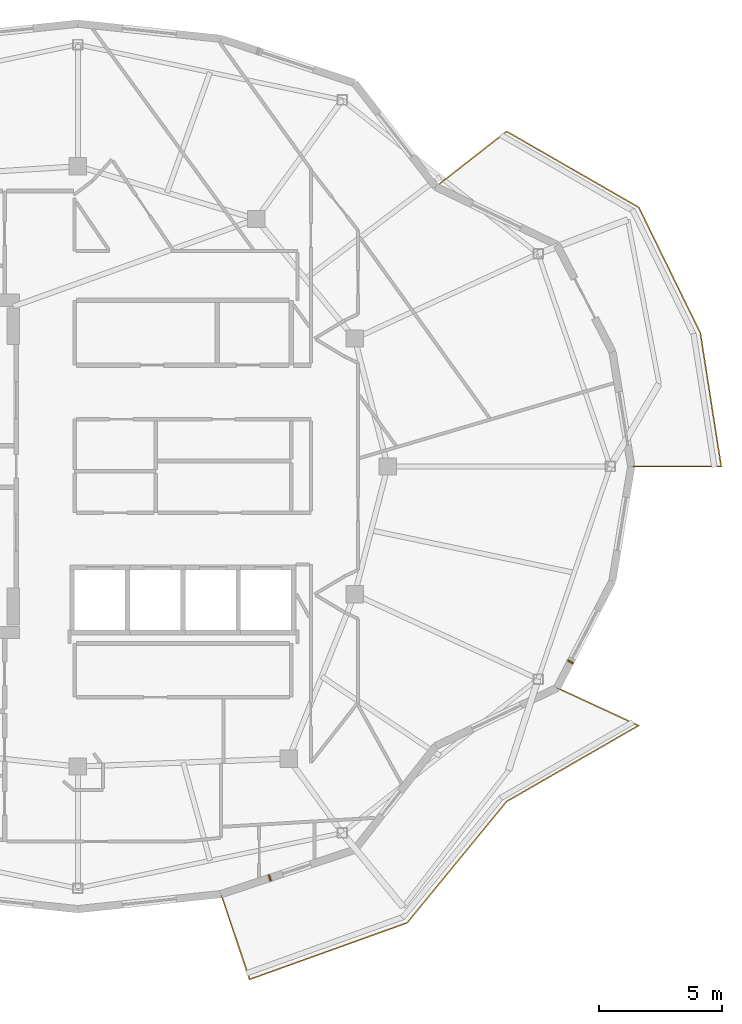
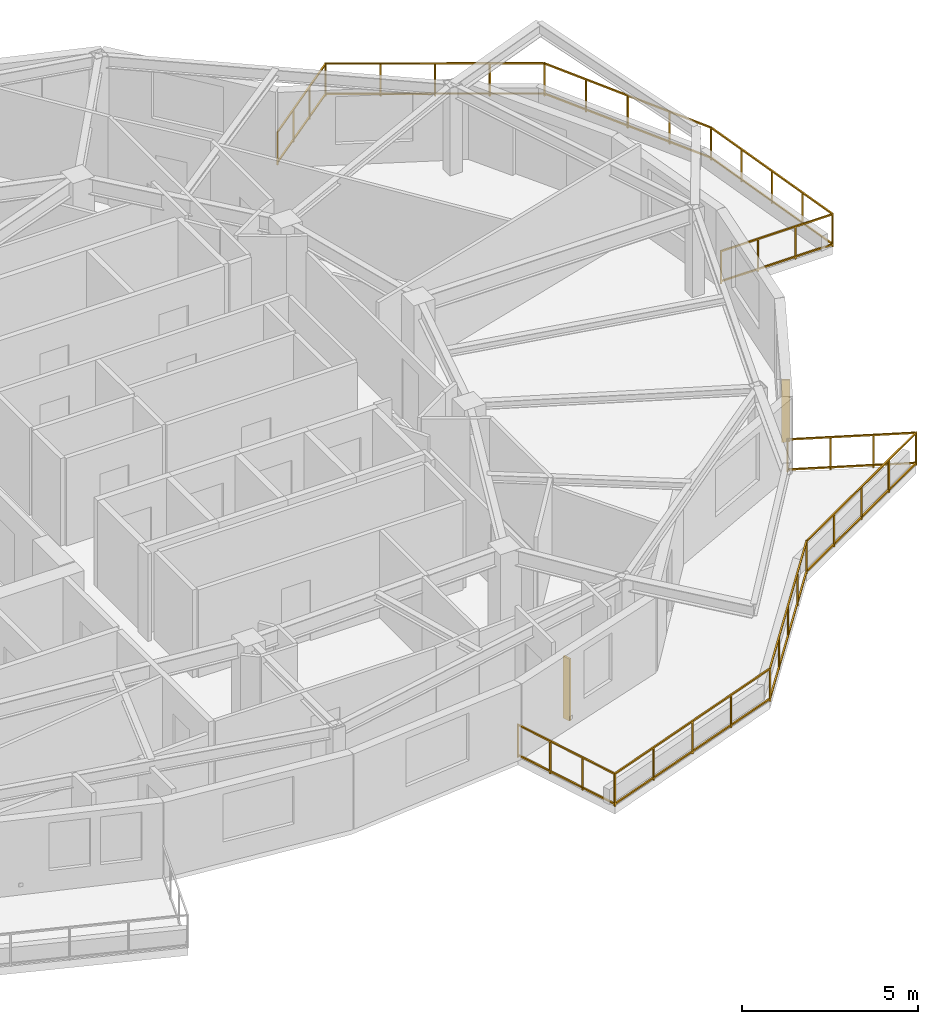
# One storey, part 10 of 11: 2 railings, 2 shading devices.
"""IFC4 building model written with IfcOpenShell, lengths in metres."""

from ifc_helpers import new_model, si_unit, direction, frame, origin, origin_2d, place, context, subcontext, project, spatial, rectangle, extrude, material, type_object, element, save


model = new_model("IFC4")

# Units and contexts
model_context = context("Model", 3, precision=1e-05, world=origin(), true_north=direction((0.0, 1.0)))
body_context = subcontext(model_context, "Body", "Model", "MODEL_VIEW")
ifc_project = project(units=[si_unit("LENGTHUNIT", "METRE"), si_unit("AREAUNIT", "SQUARE_METRE"), si_unit("VOLUMEUNIT", "CUBIC_METRE"), si_unit("PLANEANGLEUNIT", "RADIAN"), si_unit("MASSUNIT", "GRAM", prefix="KILO")], contexts=[model_context])

# Site, building, storey
site_placement = place(None, origin())
site = spatial("IfcSite", under=ifc_project, at=site_placement, CompositionType="ELEMENT")
building_placement = place(site_placement, origin())
building = spatial("IfcBuilding", under=site, at=building_placement, Name="Kolvaren Gate Tower and Convention Centre", CompositionType="ELEMENT")
storey_placement = place(building_placement, frame((0.0, 0.0, 242.60009765625)))
storey = spatial("IfcBuildingStorey", under=building, at=storey_placement, Name="L65", CompositionType="ELEMENT", Elevation=242.60009765625)

# Railings
ifc_material_1 = material(Name="Brushed Stainless Steel Grade 316L", Category="steel")
railing_type = type_object("IfcRailingType", Name="ARCH-RL-GUARD-1150", PredefinedType="GUARDRAIL", material=ifc_material_1)
railing_1_placement = place(storey_placement, frame((52.625, 27.0, 0.0)))
element("IfcRailing", 1, at=railing_1_placement, inside=storey, type_object=railing_type, Name="Tower L65 Terrace Perimeter Guardrail GR-1", PredefinedType="GUARDRAIL", context=body_context, shape_type="SweptSolid", body=[
    extrude(rectangle(XDim=0.048095703125, YDim=0.048095703125, at=origin_2d()), frame((0.028076171875, 0.0, 1.1259765625), z_axis=(1.0, 0.0, 0.0), x_axis=(0.0, 1.0, 0.0)), (0.0, 0.0, 1.0), 3.603759765625),
    extrude(rectangle(XDim=0.048095703125, YDim=0.048095703125, at=origin_2d()), frame((0.028076171875, 0.0, 0.083984375), z_axis=(1.0, 0.0, 0.0), x_axis=(0.0, 1.0, 0.0)), (0.0, 0.0, 1.0), 3.603759765625),
    extrude(rectangle(XDim=0.048095703125, YDim=0.048095703125, at=origin_2d()), frame((3.655517578125, 0.02783203125, 1.1259765625), z_axis=(-0.1543985789, 0.988008643097, 0.0), x_axis=(-0.988008643097, -0.1543985789, 0.0)), (0.0, 0.0, 1.0), 5.435546875),
    extrude(rectangle(XDim=0.048095703125, YDim=0.048095703125, at=origin_2d()), frame((3.655517578125, 0.02783203125, 0.083984375), z_axis=(-0.1543985789, 0.988008643097, 0.0), x_axis=(-0.988008643097, -0.1543985789, 0.0)), (0.0, 0.0, 1.0), 5.435546875),
    extrude(rectangle(XDim=0.048095703125, YDim=0.048095703125, at=origin_2d()), frame((2.799560546875, 5.450927734375, 1.1259765625), z_axis=(-0.440058847499, 0.897968936399, 0.0), x_axis=(-0.897968936399, -0.440058847499, 0.0)), (0.0, 0.0, 1.0), 5.63330078125),
    extrude(rectangle(XDim=0.048095703125, YDim=0.048095703125, at=origin_2d()), frame((2.799560546875, 5.450927734375, 0.083984375), z_axis=(-0.440058847499, 0.897968936399, 0.0), x_axis=(-0.897968936399, -0.440058847499, 0.0)), (0.0, 0.0, 1.0), 5.63330078125),
    extrude(rectangle(XDim=0.048095703125, YDim=0.048095703125, at=origin_2d()), frame((0.283935546875, 10.548583984375, 1.1259765625), z_axis=(-0.866894385595, 0.498491849706, 0.0), x_axis=(-0.498491849706, -0.866894385595, 0.0)), (0.0, 0.0, 1.0), 6.140869140625),
    extrude(rectangle(XDim=0.048095703125, YDim=0.048095703125, at=origin_2d()), frame((0.283935546875, 10.548583984375, 0.083984375), z_axis=(-0.866894385595, 0.498491849706, 0.0), x_axis=(-0.498491849706, -0.866894385595, 0.0)), (0.0, 0.0, 1.0), 6.140869140625),
    extrude(rectangle(XDim=0.048095703125, YDim=0.048095703125, at=origin_2d()), frame((-5.0859375, 13.6064453125, 1.1259765625), z_axis=(-0.787988976981, -0.61568934712, 0.0), x_axis=(0.61568934712, -0.787988976981, 0.0)), (0.0, 0.0, 1.0), 3.60400390625),
    extrude(rectangle(XDim=0.048095703125, YDim=0.048095703125, at=origin_2d()), frame((-5.0859375, 13.6064453125, 0.083984375), z_axis=(-0.787988976981, -0.61568934712, 0.0), x_axis=(0.61568934712, -0.787988976981, 0.0)), (0.0, 0.0, 1.0), 3.60400390625),
    extrude(rectangle(XDim=0.0419921875, YDim=0.0419921875, at=origin_2d()), origin(), (0.0, 0.0, 1.0), 1.14990234375),
    extrude(rectangle(XDim=0.0419921875, YDim=0.0419921875, at=origin_2d()), frame((3.659912109375, 0.0, 0.0)), (0.0, 0.0, 1.0), 1.14990234375),
    extrude(rectangle(XDim=0.0419921875, YDim=0.0419921875, at=origin_2d()), frame((1.219970703125, 0.0, 0.0)), (0.0, 0.0, 1.0), 1.099853515625),
    extrude(rectangle(XDim=0.0419921875, YDim=0.0419921875, at=origin_2d()), frame((2.43994140625, 0.0, 0.0)), (0.0, 0.0, 1.0), 1.099853515625),
    extrude(rectangle(XDim=0.0419921875, YDim=0.0419921875, at=origin_2d()), frame((2.81201171875, 5.42578125, 0.0)), (0.0, 0.0, 1.0), 1.14990234375),
    extrude(rectangle(XDim=0.0419921875, YDim=0.0419921875, at=origin_2d()), frame((3.447998046875, 1.3564453125, 0.0)), (0.0, 0.0, 1.0), 1.099853515625),
    extrude(rectangle(XDim=0.0419921875, YDim=0.0419921875, at=origin_2d()), frame((3.23583984375, 2.712890625, 0.0)), (0.0, 0.0, 1.0), 1.099853515625),
    extrude(rectangle(XDim=0.0419921875, YDim=0.0419921875, at=origin_2d()), frame((3.02392578125, 4.0693359375, 0.0)), (0.0, 0.0, 1.0), 1.099853515625),
    extrude(rectangle(XDim=0.0419921875, YDim=0.0419921875, at=origin_2d()), frame((0.308349609375, 10.53466796875, 0.0)), (0.0, 0.0, 1.0), 1.14990234375),
    extrude(rectangle(XDim=0.0419921875, YDim=0.0419921875, at=origin_2d()), frame((2.18603515625, 6.703125, 0.0)), (0.0, 0.0, 1.0), 1.099853515625),
    extrude(rectangle(XDim=0.0419921875, YDim=0.0419921875, at=origin_2d()), frame((1.56005859375, 7.980224609375, 0.0)), (0.0, 0.0, 1.0), 1.099853515625),
    extrude(rectangle(XDim=0.0419921875, YDim=0.0419921875, at=origin_2d()), frame((0.934326171875, 9.25732421875, 0.0)), (0.0, 0.0, 1.0), 1.099853515625),
    extrude(rectangle(XDim=0.0419921875, YDim=0.0419921875, at=origin_2d()), frame((-5.063720703125, 13.623779296875, 0.0)), (0.0, 0.0, 1.0), 1.14990234375),
    extrude(rectangle(XDim=0.0419921875, YDim=0.0419921875, at=origin_2d()), frame((-1.03466796875, 11.306884765625, 0.0)), (0.0, 0.0, 1.0), 1.099853515625),
    extrude(rectangle(XDim=0.0419921875, YDim=0.0419921875, at=origin_2d()), frame((-2.377685546875, 12.0791015625, 0.0)), (0.0, 0.0, 1.0), 1.099853515625),
    extrude(rectangle(XDim=0.0419921875, YDim=0.0419921875, at=origin_2d()), frame((-3.720703125, 12.8515625, 0.0)), (0.0, 0.0, 1.0), 1.099853515625),
    extrude(rectangle(XDim=0.0419921875, YDim=0.0419921875, at=origin_2d()), frame((-7.94775390625, 11.370361328125, 0.0)), (0.0, 0.0, 1.0), 1.14990234375),
    extrude(rectangle(XDim=0.0419921875, YDim=0.0419921875, at=origin_2d()), frame((-6.025146484375, 12.87255859375, 0.0)), (0.0, 0.0, 1.0), 1.099853515625),
    extrude(rectangle(XDim=0.0419921875, YDim=0.0419921875, at=origin_2d()), frame((-6.986328125, 12.12158203125, 0.0)), (0.0, 0.0, 1.0), 1.099853515625),
])
railing_2_placement = place(storey_placement, frame((35.948486328125, 9.61328125, 0.0)))
element("IfcRailing", 2, at=railing_2_placement, inside=storey, type_object=railing_type, Name="Tower L65 Terrace Perimeter Guardrail GR-4", PredefinedType="GUARDRAIL", context=body_context, shape_type="SweptSolid", body=[
    extrude(rectangle(XDim=0.048095703125, YDim=0.048095703125, at=origin_2d()), frame((0.0087890625, -0.026611328125, 1.1259765625), z_axis=(0.317588247294, -0.948228719867, 0.0), x_axis=(0.948228719867, 0.317588247294, 0.0)), (0.0, 0.0, 1.0), 3.603759765625),
    extrude(rectangle(XDim=0.048095703125, YDim=0.048095703125, at=origin_2d()), frame((0.0087890625, -0.026611328125, 0.083984375), z_axis=(0.317588247294, -0.948228719867, 0.0), x_axis=(0.948228719867, 0.317588247294, 0.0)), (0.0, 0.0, 1.0), 3.603759765625),
    extrude(rectangle(XDim=0.048095703125, YDim=0.048095703125, at=origin_2d()), frame((1.188720703125, -3.4609375, 1.1259765625), z_axis=(0.941139090914, 0.338019543152, 0.0), x_axis=(-0.338019543152, 0.941139090914, 0.0)), (0.0, 0.0, 1.0), 6.75048828125),
    extrude(rectangle(XDim=0.048095703125, YDim=0.048095703125, at=origin_2d()), frame((1.188720703125, -3.4609375, 0.083984375), z_axis=(0.941139090914, 0.338019543152, 0.0), x_axis=(-0.338019543152, 0.941139090914, 0.0)), (0.0, 0.0, 1.0), 6.75048828125),
    extrude(rectangle(XDim=0.048095703125, YDim=0.048095703125, at=origin_2d()), frame((7.586181640625, -1.14794921875, 1.1259765625), z_axis=(0.634050293942, 0.773291810866, 0.0), x_axis=(-0.773291810866, 0.634050293942, 0.0)), (0.0, 0.0, 1.0), 6.322509765625),
    extrude(rectangle(XDim=0.048095703125, YDim=0.048095703125, at=origin_2d()), frame((7.586181640625, -1.14794921875, 0.083984375), z_axis=(0.634050293942, 0.773291810866, 0.0), x_axis=(-0.773291810866, 0.634050293942, 0.0)), (0.0, 0.0, 1.0), 6.322509765625),
    extrude(rectangle(XDim=0.048095703125, YDim=0.048095703125, at=origin_2d()), frame((11.63720703125, 3.77685546875, 1.1259765625), z_axis=(0.866894385595, 0.498491849706, 0.0), x_axis=(-0.498491849706, 0.866894385595, 0.0)), (0.0, 0.0, 1.0), 6.140869140625),
    extrude(rectangle(XDim=0.048095703125, YDim=0.048095703125, at=origin_2d()), frame((11.63720703125, 3.77685546875, 0.083984375), z_axis=(0.866894385595, 0.498491849706, 0.0), x_axis=(-0.498491849706, 0.866894385595, 0.0)), (0.0, 0.0, 1.0), 6.140869140625),
    extrude(rectangle(XDim=0.048095703125, YDim=0.048095703125, at=origin_2d()), frame((16.95947265625, 6.86376953125, 1.1259765625), z_axis=(-0.907846116663, 0.419303503993, 0.0), x_axis=(-0.419303503993, -0.907846116663, 0.0)), (0.0, 0.0, 1.0), 3.60400390625),
    extrude(rectangle(XDim=0.048095703125, YDim=0.048095703125, at=origin_2d()), frame((16.95947265625, 6.86376953125, 0.083984375), z_axis=(-0.907846116663, 0.419303503993, 0.0), x_axis=(-0.419303503993, -0.907846116663, 0.0)), (0.0, 0.0, 1.0), 3.60400390625),
    extrude(rectangle(XDim=0.0419921875, YDim=0.0419921875, at=origin_2d()), origin(), (0.0, 0.0, 1.0), 1.14990234375),
    extrude(rectangle(XDim=0.0419921875, YDim=0.0419921875, at=origin_2d()), frame((1.162353515625, -3.470458984375, 0.0)), (0.0, 0.0, 1.0), 1.14990234375),
    extrude(rectangle(XDim=0.0419921875, YDim=0.0419921875, at=origin_2d()), frame((0.387451171875, -1.15673828125, 0.0)), (0.0, 0.0, 1.0), 1.099853515625),
    extrude(rectangle(XDim=0.0419921875, YDim=0.0419921875, at=origin_2d()), frame((0.77490234375, -2.313720703125, 0.0)), (0.0, 0.0, 1.0), 1.099853515625),
    extrude(rectangle(XDim=0.0419921875, YDim=0.0419921875, at=origin_2d()), frame((7.568359375, -1.169677734375, 0.0)), (0.0, 0.0, 1.0), 1.14990234375),
    extrude(rectangle(XDim=0.0419921875, YDim=0.0419921875, at=origin_2d()), frame((2.763916015625, -2.895263671875, 0.0)), (0.0, 0.0, 1.0), 1.099853515625),
    extrude(rectangle(XDim=0.0419921875, YDim=0.0419921875, at=origin_2d()), frame((4.365234375, -2.320068359375, 0.0)), (0.0, 0.0, 1.0), 1.099853515625),
    extrude(rectangle(XDim=0.0419921875, YDim=0.0419921875, at=origin_2d()), frame((5.966796875, -1.744873046875, 0.0)), (0.0, 0.0, 1.0), 1.099853515625),
    extrude(rectangle(XDim=0.0419921875, YDim=0.0419921875, at=origin_2d()), frame((11.61279296875, 3.762939453125, 0.0)), (0.0, 0.0, 1.0), 1.14990234375),
    extrude(rectangle(XDim=0.0419921875, YDim=0.0419921875, at=origin_2d()), frame((8.57958984375, 0.0634765625, 0.0)), (0.0, 0.0, 1.0), 1.099853515625),
    extrude(rectangle(XDim=0.0419921875, YDim=0.0419921875, at=origin_2d()), frame((9.590576171875, 1.296630859375, 0.0)), (0.0, 0.0, 1.0), 1.099853515625),
    extrude(rectangle(XDim=0.0419921875, YDim=0.0419921875, at=origin_2d()), frame((10.6015625, 2.52978515625, 0.0)), (0.0, 0.0, 1.0), 1.099853515625),
    extrude(rectangle(XDim=0.0419921875, YDim=0.0419921875, at=origin_2d()), frame((16.98486328125, 6.85205078125, 0.0)), (0.0, 0.0, 1.0), 1.14990234375),
    extrude(rectangle(XDim=0.0419921875, YDim=0.0419921875, at=origin_2d()), frame((12.955810546875, 4.53515625, 0.0)), (0.0, 0.0, 1.0), 1.099853515625),
    extrude(rectangle(XDim=0.0419921875, YDim=0.0419921875, at=origin_2d()), frame((14.298828125, 5.3076171875, 0.0)), (0.0, 0.0, 1.0), 1.099853515625),
    extrude(rectangle(XDim=0.0419921875, YDim=0.0419921875, at=origin_2d()), frame((15.641845703125, 6.079833984375, 0.0)), (0.0, 0.0, 1.0), 1.099853515625),
    extrude(rectangle(XDim=0.0419921875, YDim=0.0419921875, at=origin_2d()), frame((13.662109375, 8.38671875, 0.0)), (0.0, 0.0, 1.0), 1.14990234375),
    extrude(rectangle(XDim=0.0419921875, YDim=0.0419921875, at=origin_2d()), frame((15.877197265625, 7.363525390625, 0.0)), (0.0, 0.0, 1.0), 1.099853515625),
    extrude(rectangle(XDim=0.0419921875, YDim=0.0419921875, at=origin_2d()), frame((14.769775390625, 7.875244140625, 0.0)), (0.0, 0.0, 1.0), 1.099853515625),
])

# Shading devices
ifc_material_2 = material(Name="Kiln-Fired Bogota Terracotta Ceramic Louvre Profile", Category="masonry")
shading_device_type = type_object("IfcShadingDeviceType", Name="ARCH-SHD-FIN-180", PredefinedType="JALOUSIE", material=ifc_material_2)
for number, where, z_axis, x_axis, name in (
    (3, (37.932373046875, 10.270751953125, 0.219970703125), (0.0, 0.0, 1.0), (0.949241728595, 0.314547517385, 0.0), "Ceramic Vertical Brise-Soleil Fin FN-L65-19"),
    (4, (50.155029296875, 19.051513671875, 0.219970703125), (0.0, 0.0, 1.0), (0.459778260738, 0.888033755525, 0.0), "Ceramic Vertical Brise-Soleil Fin FN-L65-22"),
):
    element("IfcShadingDevice", number, at=place(storey_placement, frame(where, z_axis=z_axis, x_axis=x_axis)), inside=storey, type_object=shading_device_type, Name=name, PredefinedType="JALOUSIE", context=body_context, shape_type="SweptSolid", body=[
        extrude(rectangle(XDim=0.06005859375, YDim=0.239990234375, at=origin_2d()), origin(), (0.0, 0.0, 1.0), 2.14990234375),
    ])

save(model, "model.ifc")
